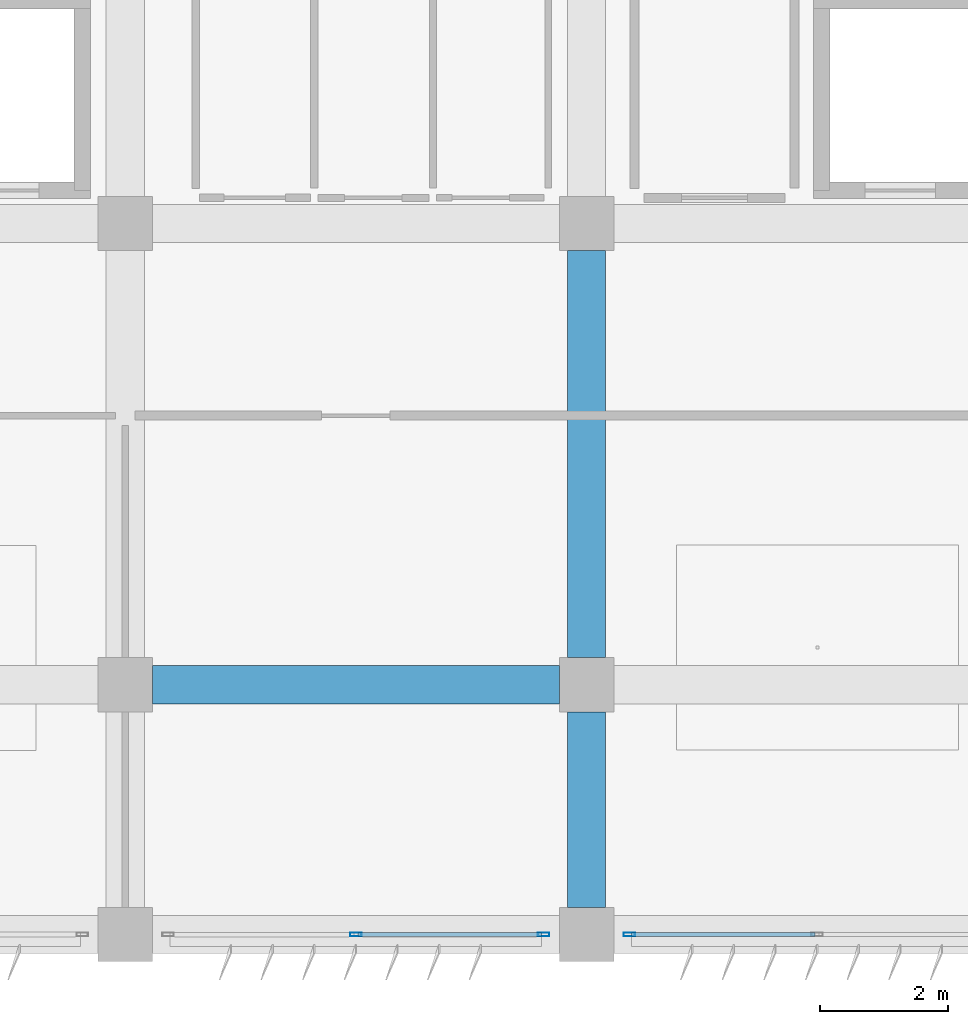
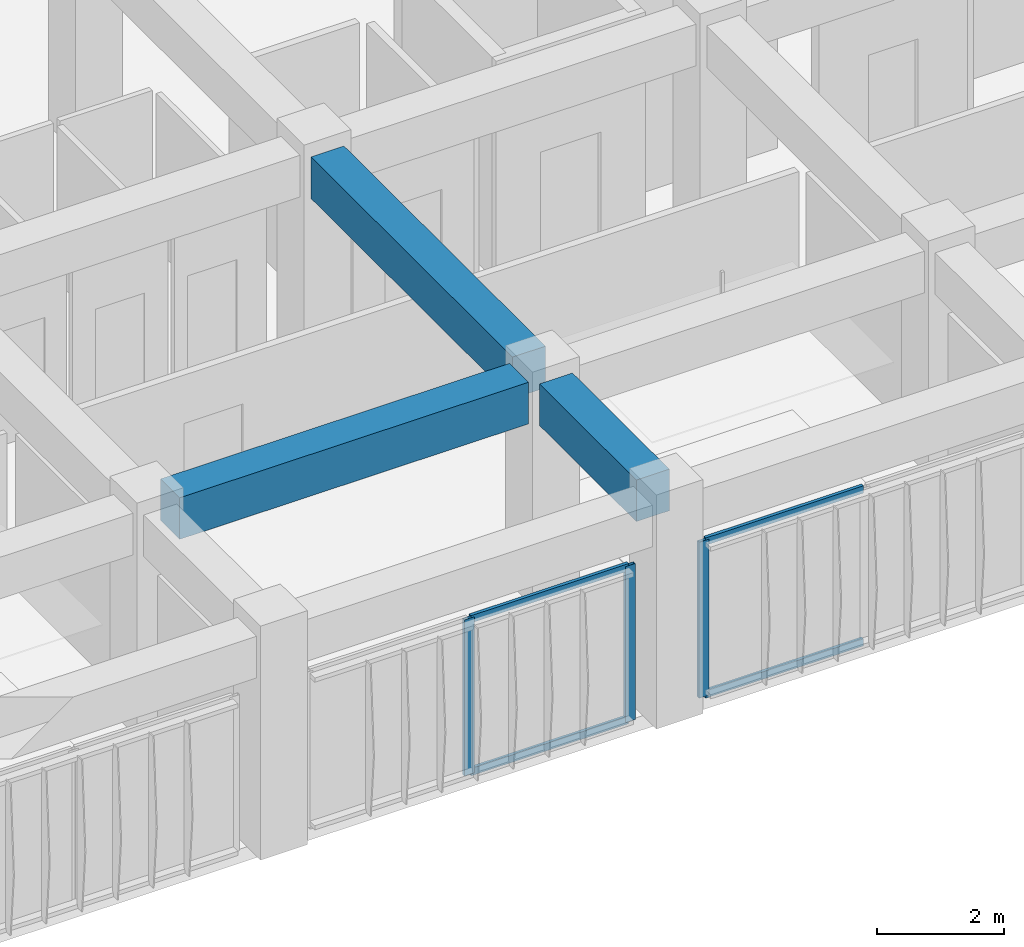
# One storey, part 13 of 48: 7 members, 3 beams, 2 elements without a shape of their own.
"""IFC4 building model written with IfcOpenShell, lengths in metres."""

from ifc_helpers import new_model, si_unit, direction, frame, origin, origin_2d, place, context, subcontext, project, spatial, rectangle, hollow_rectangle, extrude, material, material_profile, profile_set, type_object, element, aggregate, save


model = new_model("IFC4")

# Units and contexts
model_context = context("Model", 3, precision=1e-05, world=origin(), true_north=direction((0.0, 1.0)))
body_context = subcontext(model_context, "Body", "Model", "MODEL_VIEW")
ifc_project = project(units=[si_unit("LENGTHUNIT", "METRE"), si_unit("AREAUNIT", "SQUARE_METRE"), si_unit("VOLUMEUNIT", "CUBIC_METRE"), si_unit("PLANEANGLEUNIT", "RADIAN"), si_unit("MASSUNIT", "GRAM", prefix="KILO")], contexts=[model_context])

# Site, building, storey
site_placement = place(None, origin())
site = spatial("IfcSite", under=ifc_project, at=site_placement, CompositionType="ELEMENT")
building_placement = place(site_placement, origin())
building = spatial("IfcBuilding", under=site, at=building_placement, Name="Kazehaya Institute of Natural Sciences", CompositionType="ELEMENT")
storey_placement = place(building_placement, frame((0.0, 0.0, 19.800048828125)))
storey = spatial("IfcBuildingStorey", under=building, at=storey_placement, Name="L04", CompositionType="ELEMENT", Elevation=19.800048828125)

# Beams
ifc_material_1 = material(Name="Concrete Fc36", Category="concrete")
ifc_material_profile_1 = material_profile(ifc_material_1, rectangle(XDim=0.60009765625, YDim=0.800048828125, at=origin_2d()), Name="RC-600x800")
ifc_profile_set_1 = profile_set([ifc_material_profile_1], Name="Concrete Fc36")
beam_type = type_object("IfcBeamType", Name="BM-G-600x800", PredefinedType="BEAM", material=ifc_profile_set_1)
beam_1_placement = place(storey_placement, frame((83.824951171875, 14.0, 3.829833984375), z_axis=(1.0, 0.0, 0.0), x_axis=(0.0, 1.0, 0.0)))
element("IfcBeam", 1, at=beam_1_placement, inside=storey, type_object=beam_type, Name="L04 primary X girder BMX-L04-834-140", PredefinedType="BEAM", context=body_context, shape_type="SweptSolid", body=[
    extrude(rectangle(XDim=0.60009765625, YDim=0.800048828125, at=origin_2d()), origin(), (0.0, 0.0, 1.0), 6.35009765625),
])
beam_2_placement = place(storey_placement, frame((90.60009765625, 10.52490234375, 3.829833984375), z_axis=(0.0, 1.0, 0.0), x_axis=(-1.0, 0.0, 0.0)))
element("IfcBeam", 2, at=beam_2_placement, inside=storey, type_object=beam_type, Name="L04 primary Y girder BMY-L04-906-101", PredefinedType="BEAM", context=body_context, shape_type="SweptSolid", body=[
    extrude(rectangle(XDim=0.60009765625, YDim=0.800048828125, at=origin_2d()), origin(), (0.0, 0.0, 1.0), 3.050048828125),
])
beam_3_placement = place(storey_placement, frame((90.60009765625, 14.425048828125, 3.829833984375), z_axis=(0.0, 1.0, 0.0), x_axis=(-1.0, 0.0, 0.0)))
element("IfcBeam", 3, at=beam_3_placement, inside=storey, type_object=beam_type, Name="L04 primary Y girder BMY-L04-906-140", PredefinedType="BEAM", context=body_context, shape_type="SweptSolid", body=[
    extrude(rectangle(XDim=0.60009765625, YDim=0.800048828125, at=origin_2d()), origin(), (0.0, 0.0, 1.0), 6.349853515625),
])

# Curtain wall, member
ifc_material_2 = material(Name="Aluminium alloy A6063S-T5", Category="aluminium")
curtain_wall_type = type_object("IfcCurtainWallType", Name="CW-SYS-04", PredefinedType="NOTDEFINED", material=ifc_material_2)
curtain_wall_1_placement = place(storey_placement, origin())
curtain_wall_1 = element("IfcCurtainWall", 4, at=curtain_wall_1_placement, inside=storey, type_object=curtain_wall_type, Name="L04 unitised curtain wall CW-L04-078", PredefinedType="NOTDEFINED")
ifc_material_profile_2 = material_profile(ifc_material_2, hollow_rectangle(XDim=0.06005859375, YDim=0.179931640625, WallThickness=0.00390625, at=origin_2d()), Name="ALU-60x180x4")
ifc_profile_set_2 = profile_set([ifc_material_profile_2], Name="Aluminium alloy A6063S-T5")
member_type_1 = type_object("IfcMemberType", Name="CWM-180", PredefinedType="MULLION", material=ifc_profile_set_2)
member_1_placement = place(storey_placement, frame((91.27001953125, 10.10009765625, 0.0), z_axis=(0.0, 0.0, 1.0), x_axis=(0.0, -1.0, 0.0)))
member_1 = element("IfcMember", 5, at=member_1_placement, type_object=member_type_1, Name="CW04 mullion 3", PredefinedType="MULLION", context=body_context, shape_type="SweptSolid", body=[
    extrude(hollow_rectangle(XDim=0.06005859375, YDim=0.179931640625, WallThickness=0.00390625, at=origin_2d()), origin(), (0.0, 0.0, 1.0), 3.0),
])

# Curtain wall, members
curtain_wall_2_placement = place(storey_placement, origin())
curtain_wall_2 = element("IfcCurtainWall", 6, at=curtain_wall_2_placement, inside=storey, type_object=curtain_wall_type, Name="L04 unitised curtain wall CW-L04-079", PredefinedType="NOTDEFINED")
member_2_placement = place(storey_placement, frame((89.929931640625, 10.10009765625, 0.0), z_axis=(0.0, 0.0, 1.0), x_axis=(0.0, -1.0, 0.0)))
member_2 = element("IfcMember", 7, at=member_2_placement, type_object=member_type_1, Name="CW04 mullion 1", PredefinedType="MULLION", context=body_context, shape_type="SweptSolid", body=[
    extrude(hollow_rectangle(XDim=0.06005859375, YDim=0.179931640625, WallThickness=0.00390625, at=origin_2d()), origin(), (0.0, 0.0, 1.0), 3.0),
])
member_3_placement = place(storey_placement, frame((87.0, 10.10009765625, 0.0), z_axis=(0.0, 0.0, 1.0), x_axis=(0.0, -1.0, 0.0)))
member_3 = element("IfcMember", 8, at=member_3_placement, type_object=member_type_1, Name="CW04 mullion 2", PredefinedType="MULLION", context=body_context, shape_type="SweptSolid", body=[
    extrude(hollow_rectangle(XDim=0.06005859375, YDim=0.179931640625, WallThickness=0.00390625, at=origin_2d()), origin(), (0.0, 0.0, 1.0), 3.0),
])

# Member
ifc_material_profile_3 = material_profile(ifc_material_2, hollow_rectangle(XDim=0.06005859375, YDim=0.139892578125, WallThickness=0.00341796875, at=origin_2d()), Name="ALU-60x140x3.5")
ifc_profile_set_3 = profile_set([ifc_material_profile_3], Name="Aluminium alloy A6063S-T5")
member_type_2 = type_object("IfcMemberType", Name="CWT-140", PredefinedType="USERDEFINED", material=ifc_profile_set_3)
member_4_placement = place(storey_placement, frame((94.169921875, 10.10009765625, 0.030029296875), z_axis=(-1.0, 0.0, 0.0), x_axis=(0.0, -1.0, 0.0)))
member_4 = element("IfcMember", 9, at=member_4_placement, type_object=member_type_2, Name="CW04 transom 2.1", ObjectType="TRANSOM", PredefinedType="USERDEFINED", context=body_context, shape_type="SweptSolid", body=[
    extrude(hollow_rectangle(XDim=0.06005859375, YDim=0.139892578125, WallThickness=0.00341796875, at=origin_2d()), origin(), (0.0, 0.0, 1.0), 2.869873046875),
])

member_5_placement = place(storey_placement, frame((94.169921875, 10.10009765625, 2.969970703125), z_axis=(-1.0, 0.0, 0.0), x_axis=(0.0, -1.0, 0.0)))
member_5 = element("IfcMember", 10, at=member_5_placement, type_object=member_type_2, Name="CW04 transom 2.2", ObjectType="TRANSOM", PredefinedType="USERDEFINED", context=body_context, shape_type="SweptSolid", body=[
    extrude(hollow_rectangle(XDim=0.06005859375, YDim=0.139892578125, WallThickness=0.00341796875, at=origin_2d()), origin(), (0.0, 0.0, 1.0), 2.869873046875),
])

aggregate(curtain_wall_1, [member_1, member_4, member_5])

member_6_placement = place(storey_placement, frame((89.89990234375, 10.10009765625, 0.030029296875), z_axis=(-1.0, 0.0, 0.0), x_axis=(0.0, -1.0, 0.0)))
member_6 = element("IfcMember", 11, at=member_6_placement, type_object=member_type_2, Name="CW04 transom 1.1", ObjectType="TRANSOM", PredefinedType="USERDEFINED", context=body_context, shape_type="SweptSolid", body=[
    extrude(hollow_rectangle(XDim=0.06005859375, YDim=0.139892578125, WallThickness=0.00341796875, at=origin_2d()), origin(), (0.0, 0.0, 1.0), 2.869873046875),
])

member_7_placement = place(storey_placement, frame((89.89990234375, 10.10009765625, 2.969970703125), z_axis=(-1.0, 0.0, 0.0), x_axis=(0.0, -1.0, 0.0)))
member_7 = element("IfcMember", 12, at=member_7_placement, type_object=member_type_2, Name="CW04 transom 1.2", ObjectType="TRANSOM", PredefinedType="USERDEFINED", context=body_context, shape_type="SweptSolid", body=[
    extrude(hollow_rectangle(XDim=0.06005859375, YDim=0.139892578125, WallThickness=0.00341796875, at=origin_2d()), origin(), (0.0, 0.0, 1.0), 2.869873046875),
])

aggregate(curtain_wall_2, [member_2, member_3, member_6, member_7])

save(model, "model.ifc")
